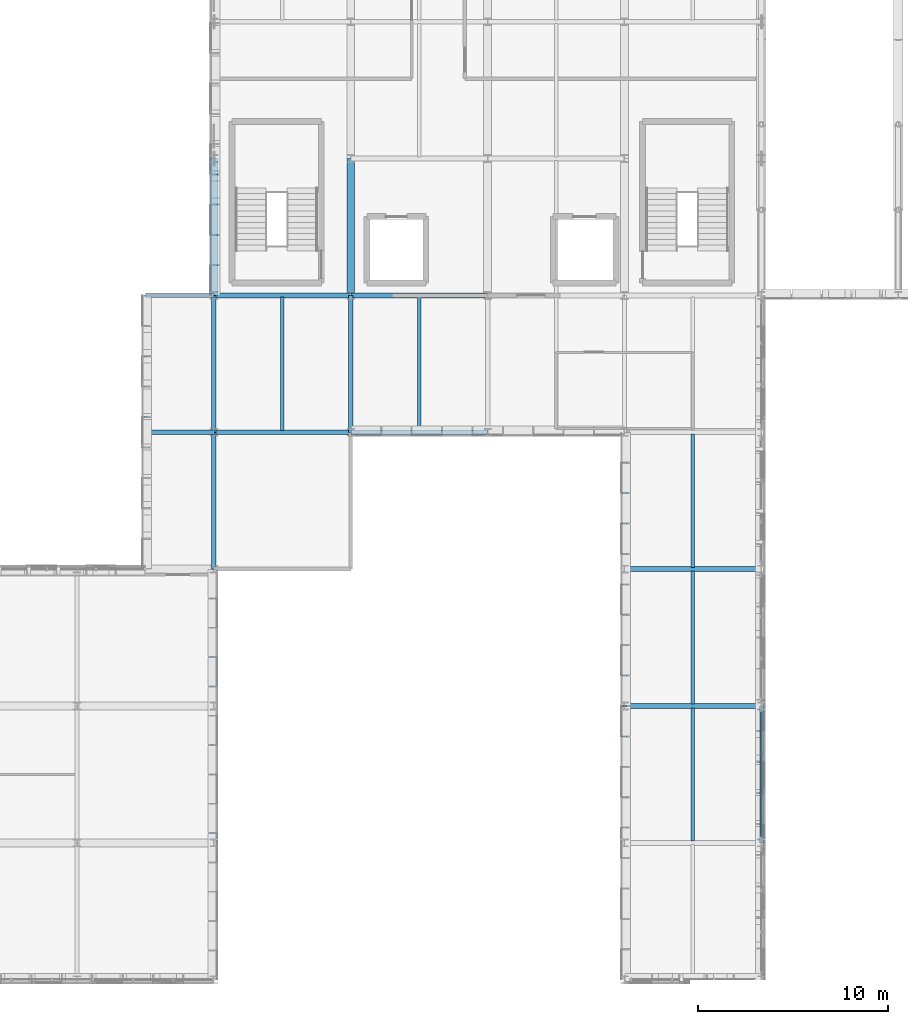
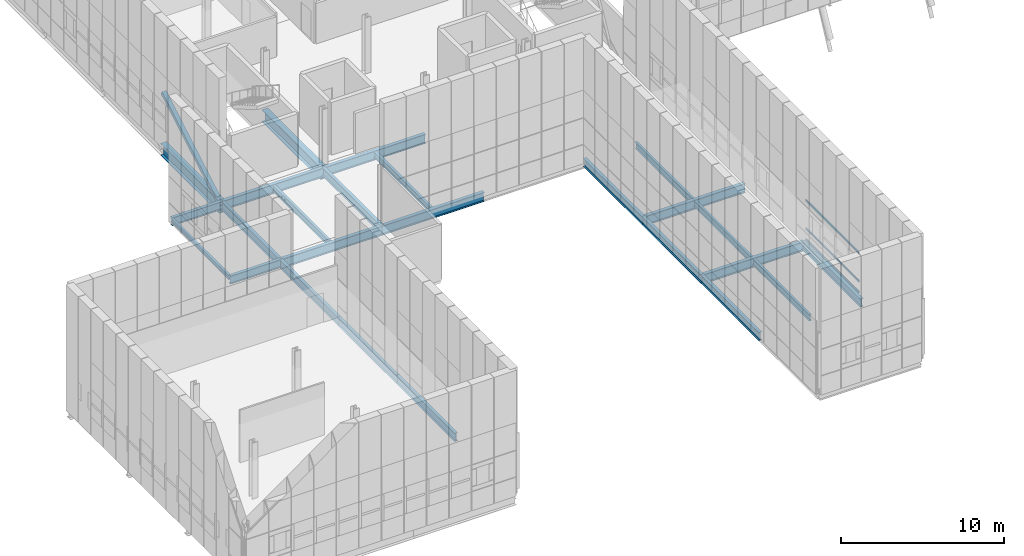
# One storey, part 19 of 144: 25 beams, 4 members, 1 element without a shape of its own.
"""IFC4 building model written with IfcOpenShell, lengths in metres."""

import ifcopenshell
import ifcopenshell.guid

model = None  # the IFC model being written
_history = None  # IfcOwnerHistory: only IFC2X3 demands one
_inside = {}  # id of a spatial element -> (the spatial element, [elements in it])
_under = {}  # id of a project, library or spatial element -> (it, [spatial elements below it])
_declared = {}  # id of a project -> (the project, [libraries it declares])
_typed = {}  # id of a type object -> (the type object, [elements of that type])
_made_of = {}  # id of a material, layer set ... -> (it, [elements and type objects made of it])


def new_model(schema):
    """Start an empty IFC model of exactly this schema.

    Asked for "IFC4X3", IfcOpenShell would pick the latest addendum, in which some entities
    have other attributes; the version numbers below select the first issue.
    IFC2X3 requires an IfcOwnerHistory on every rooted entity: one is made here for all.
    """
    global model, _history
    if schema == "IFC4X3":
        model = ifcopenshell.file(schema_version=(4, 3, 0, 0))
    else:
        model = ifcopenshell.file(schema=schema)
    _inside.clear()
    _under.clear()
    _declared.clear()
    _typed.clear()
    _made_of.clear()
    _history = None
    if model.schema == "IFC2X3":
        org = make("IfcOrganization", Name="unknown")
        user = make(
            "IfcPersonAndOrganization",
            ThePerson=make("IfcPerson", FamilyName="unknown"),
            TheOrganization=org,
        )
        app = make(
            "IfcApplication",
            ApplicationDeveloper=org,
            Version="unknown",
            ApplicationFullName="unknown",
            ApplicationIdentifier="unknown",
        )
        _history = make(
            "IfcOwnerHistory",
            OwningUser=user,
            OwningApplication=app,
            ChangeAction="ADDED",
            CreationDate=0,
        )
    return model


def make(cls, **values):
    """One entity of the class cls with the attributes given. An attribute that is None is left unset."""
    return model.create_entity(
        cls, **{name: value for name, value in values.items() if value is not None}
    )


def rooted(cls, **values):
    """An entity with a GlobalId (a new one), such as an element, a storey or a relation."""
    return make(cls, GlobalId=ifcopenshell.guid.new(), OwnerHistory=_history, **values)


def si_unit(unit_type, name, prefix=None):
    """IfcSIUnit, for example si_unit("LENGTHUNIT", "METRE", prefix="MILLI")."""
    return make("IfcSIUnit", UnitType=unit_type, Prefix=prefix, Name=name)


def assignment(units):
    """IfcUnitAssignment: the units of a project."""
    return None if units is None else make("IfcUnitAssignment", Units=units)


def point(xyz):
    """IfcCartesianPoint."""
    return None if xyz is None else make("IfcCartesianPoint", Coordinates=xyz)


def direction(xyz):
    """IfcDirection."""
    return None if xyz is None else make("IfcDirection", DirectionRatios=xyz)


def frame(location, z_axis=None, x_axis=None):
    """IfcAxis2Placement3D, a coordinate frame: its origin and axes. An axis left out is left unset."""
    return make(
        "IfcAxis2Placement3D",
        Location=point(location),
        Axis=direction(z_axis),
        RefDirection=direction(x_axis),
    )


def frame_2d(location, x_axis=None):
    """IfcAxis2Placement2D, a coordinate frame in the plane: its origin and x axis."""
    return make(
        "IfcAxis2Placement2D", Location=point(location), RefDirection=direction(x_axis)
    )


def origin():
    """The frame at (0, 0, 0) with its axes left unset."""
    return frame((0.0, 0.0, 0.0))


def origin_2d():
    """The frame at (0, 0) in the plane with its x axis left unset."""
    return frame_2d((0.0, 0.0))


def place(relative_to, where):
    """IfcLocalPlacement: puts the frame where relative to a parent placement (None: the world)."""
    return make(
        "IfcLocalPlacement", PlacementRelTo=relative_to, RelativePlacement=where
    )


def context(
    kind, dimensions, precision=None, world=None, true_north=None, identifier=None
):
    """IfcGeometricRepresentationContext, for example the 3D "Model" context."""
    return make(
        "IfcGeometricRepresentationContext",
        ContextIdentifier=identifier,
        ContextType=kind,
        CoordinateSpaceDimension=dimensions,
        Precision=precision,
        WorldCoordinateSystem=world,
        TrueNorth=true_north,
    )


def subcontext(parent, identifier, kind, view, scale=None):
    """IfcGeometricRepresentationSubContext, for example "Body" below "Model"."""
    return make(
        "IfcGeometricRepresentationSubContext",
        ContextIdentifier=identifier,
        ContextType=kind,
        ParentContext=parent,
        TargetScale=scale,
        TargetView=view,
    )


def project(units=None, contexts=None):
    """IfcProject with its units and contexts."""
    return rooted(
        "IfcProject",
        Name="project",
        RepresentationContexts=contexts,
        UnitsInContext=assignment(units),
    )


def spatial(cls, under=None, at=None, **own):
    """A site, building, storey or space (cls), placed at a placement, below another one or the project."""
    s = rooted(cls, ObjectPlacement=at, **own)
    if under is not None:
        _under.setdefault(under.id(), (under, []))[1].append(s)
    return s


def profile(cls, at=None, kind="AREA", **sizes):
    """A parametric profile (cls). Its sizes go by their IFC names, for example OverallWidth=200.0."""
    return make(cls, ProfileType=kind, Position=at, **sizes)


def hollow_rectangle(**sizes):
    """IfcRectangleHollowProfileDef."""
    return profile("IfcRectangleHollowProfileDef", **sizes)


def i_section(**sizes):
    """IfcIShapeProfileDef."""
    return profile("IfcIShapeProfileDef", **sizes)


def extrude(swept, where, along, depth):
    """IfcExtrudedAreaSolid: the profile swept, set in the frame where, extruded along a direction by depth."""
    return make(
        "IfcExtrudedAreaSolid",
        SweptArea=swept,
        Position=where,
        ExtrudedDirection=direction(along),
        Depth=depth,
    )


def shape(context_of_items, identifier, shape_type, items):
    """IfcShapeRepresentation: the items that make up one representation, for example the "Body"."""
    return make(
        "IfcShapeRepresentation",
        ContextOfItems=context_of_items,
        RepresentationIdentifier=identifier,
        RepresentationType=shape_type,
        Items=items,
    )


def material(Name=None, Category=None):
    """IfcMaterial."""
    return make("IfcMaterial", Name=Name, Category=Category)


def material_profile(
    of_material, cross_section, Name=None, Category=None, Priority=None
):
    """IfcMaterialProfile: a cross section and its material."""
    return make(
        "IfcMaterialProfile",
        Name=Name,
        Material=of_material,
        Profile=cross_section,
        Priority=Priority,
        Category=Category,
    )


def profile_set(profiles, Name=None, composite=None):
    """IfcMaterialProfileSet."""
    return make(
        "IfcMaterialProfileSet",
        Name=Name,
        MaterialProfiles=profiles,
        CompositeProfile=composite,
    )


def made_of(thing, what):
    """Note that an element or type object is made of a material, layer set ...; save() writes the relation."""
    if what is not None:
        _made_of.setdefault(what.id(), (what, []))[1].append(thing)
    return thing


def type_object(cls, material=None, **own):
    """A type object (cls), such as IfcWallType, which elements share."""
    return made_of(rooted(cls, **own), material)


def element(
    cls,
    number,
    at=None,
    inside=None,
    cuts=None,
    type_object=None,
    material=None,
    context=None,
    identifier="Body",
    shape_type=None,
    held_by="IfcProductDefinitionShape",
    body=None,
    shapes=None,
    **own,
):
    """One element of the class cls, such as IfcWall. Its Tag is "e" and its number.

    at: its placement. inside: the storey or other place that contains it. cuts: it is an
    opening in that element (IfcRelVoidsElement). A single representation is given by context,
    identifier, shape_type and body (its items); several are given by shapes. held_by: the class
    of the entity that holds the representations. save() writes the other relations.
    """
    e = rooted(cls, Tag="e%d" % number, ObjectPlacement=at, **own)
    if body is not None:
        shapes = [shape(context, identifier, shape_type, body)]
    if shapes is not None:
        e.Representation = make(held_by, Representations=shapes)
    if inside is not None:
        _inside.setdefault(inside.id(), (inside, []))[1].append(e)
    if cuts is not None:
        rooted(
            "IfcRelVoidsElement", RelatingBuildingElement=cuts, RelatedOpeningElement=e
        )
    if type_object is not None:
        _typed.setdefault(type_object.id(), (type_object, []))[1].append(e)
    return made_of(e, material)


def aggregate(whole, parts):
    """IfcRelAggregates: a whole, such as a stair, and the parts it consists of."""
    return rooted("IfcRelAggregates", RelatingObject=whole, RelatedObjects=parts)


def save(model, path):
    """Write the relations noted so far, then the file.

    IfcRelAggregates (storeys below a building ...), IfcRelContainedInSpatialStructure (elements
    in a storey), IfcRelDefinesByType, IfcRelAssociatesMaterial and IfcRelDeclares: one each for
    every whole, place, type object, material and project.
    """
    for whole, parts in _under.values():
        aggregate(whole, parts)
    for where, things in _inside.values():
        rooted(
            "IfcRelContainedInSpatialStructure",
            RelatedElements=things,
            RelatingStructure=where,
        )
    for kind, things in _typed.values():
        rooted("IfcRelDefinesByType", RelatedObjects=things, RelatingType=kind)
    for what, things in _made_of.values():
        rooted("IfcRelAssociatesMaterial", RelatedObjects=things, RelatingMaterial=what)
    for by, libraries in _declared.values():
        rooted("IfcRelDeclares", RelatingContext=by, RelatedDefinitions=libraries)
    model.write(path)


model = new_model("IFC4")

# Units and contexts
model_context = context("Model", 3, precision=1e-05, world=origin(), true_north=direction((0.0, 1.0)))
body_context = subcontext(model_context, "Body", "Model", "MODEL_VIEW")
ifc_project = project(units=[si_unit("LENGTHUNIT", "METRE"), si_unit("AREAUNIT", "SQUARE_METRE"), si_unit("VOLUMEUNIT", "CUBIC_METRE"), si_unit("PLANEANGLEUNIT", "RADIAN"), si_unit("MASSUNIT", "GRAM", prefix="KILO")], contexts=[model_context])

# Site, building, storey
site_placement = place(None, origin())
site = spatial("IfcSite", under=ifc_project, at=site_placement, CompositionType="ELEMENT")
building_placement = place(site_placement, origin())
building = spatial("IfcBuilding", under=site, at=building_placement, Name="Yarey Park Central Fire Station", CompositionType="ELEMENT")
storey_placement = place(building_placement, frame((0.0, 0.0, 10.199951171875)))
storey = spatial("IfcBuildingStorey", under=building, at=storey_placement, Name="L03", CompositionType="ELEMENT", Elevation=10.199951171875)

# Curtain wall, members
ifc_material_1 = material(Name="Anodized Aluminium Frame", Category="aluminium")
curtain_wall_type = type_object("IfcCurtainWallType", Name="ENV_CW_V3_OVR1", PredefinedType="NOTDEFINED", material=ifc_material_1)
curtain_wall_placement = place(storey_placement, origin())
curtain_wall = element("IfcCurtainWall", 1, at=curtain_wall_placement, inside=storey, type_object=curtain_wall_type, Name="CW_L03_V1_E_057", PredefinedType="NOTDEFINED")
ifc_material_profile_1 = material_profile(ifc_material_1, hollow_rectangle(XDim=0.070068359375, YDim=0.139892578125, WallThickness=0.00390625, at=origin_2d()), Name="ALU 140x70x4")
ifc_profile_set_1 = profile_set([ifc_material_profile_1], Name="Anodized Aluminium Frame")
member_type_1 = type_object("IfcMemberType", Name="ENV_CW_TRANSOM", PredefinedType="USERDEFINED", material=ifc_profile_set_1)
member_1_placement = place(storey_placement, frame((57.60009765625, 29.125, 0.025146484375), z_axis=(0.0, 1.0, 0.0), x_axis=(-1.0, 0.0, 0.0)))
member_1 = element("IfcMember", 2, at=member_1_placement, type_object=member_type_1, Name="CW_L03_V1_E_057_TRN1", ObjectType="TRANSOM", PredefinedType="USERDEFINED", context=body_context, shape_type="SweptSolid", body=[
    extrude(hollow_rectangle(XDim=0.070068359375, YDim=0.139892578125, WallThickness=0.00390625, at=origin_2d()), origin(), (0.0, 0.0, 1.0), 6.550048828125),
])
member_2_placement = place(storey_placement, frame((57.60009765625, 29.125, 0.85009765625), z_axis=(0.0, 1.0, 0.0), x_axis=(-1.0, 0.0, 0.0)))
member_2 = element("IfcMember", 3, at=member_2_placement, type_object=member_type_1, Name="CW_L03_V1_E_057_TRN2", ObjectType="TRANSOM", PredefinedType="USERDEFINED", context=body_context, shape_type="SweptSolid", body=[
    extrude(hollow_rectangle(XDim=0.070068359375, YDim=0.139892578125, WallThickness=0.00390625, at=origin_2d()), origin(), (0.0, 0.0, 1.0), 6.550048828125),
])
member_3_placement = place(storey_placement, frame((57.60009765625, 29.125, 2.97509765625), z_axis=(0.0, 1.0, 0.0), x_axis=(-1.0, 0.0, 0.0)))
member_3 = element("IfcMember", 4, at=member_3_placement, type_object=member_type_1, Name="CW_L03_V1_E_057_TRN3", ObjectType="TRANSOM", PredefinedType="USERDEFINED", context=body_context, shape_type="SweptSolid", body=[
    extrude(hollow_rectangle(XDim=0.070068359375, YDim=0.139892578125, WallThickness=0.00390625, at=origin_2d()), origin(), (0.0, 0.0, 1.0), 6.550048828125),
])
aggregate(curtain_wall, [member_1, member_2, member_3])

# Beams
ifc_material_2 = material(Name="Steel ASTM A992 Gr. 50", Category="steel")
ifc_material_profile_2 = material_profile(ifc_material_2, i_section(OverallWidth=0.22900390625, OverallDepth=0.612060546875, WebThickness=0.011962890625, FlangeThickness=0.01953125, at=origin_2d()), Name="W610x125")
ifc_profile_set_2 = profile_set([ifc_material_profile_2], Name="Steel ASTM A992 Gr. 50")
beam_type_1 = type_object("IfcBeamType", Name="STR_BM_W610", PredefinedType="BEAM", material=ifc_profile_set_2)
for number, where, z_axis, x_axis, name in (
    (5, (28.800048828125, 28.800048828125, -0.56591796875), (0.0, 1.0, 0.0), (-1.0, 0.0, 0.0), "BMY L03 X288 Y288"),
    (6, (28.800048828125, 36.0, -0.56591796875), (0.0, 1.0, 0.0), (-1.0, 0.0, 0.0), "BMY L03 X288 Y360"),
    (7, (28.800048828125, 43.199951171875, -0.56591796875), (0.0, 1.0, 0.0), (-1.0, 0.0, 0.0), "BMY L03 X288 Y432"),
):
    element("IfcBeam", number, at=place(storey_placement, frame(where, z_axis=z_axis, x_axis=x_axis)), inside=storey, type_object=beam_type_1, Name=name, PredefinedType="BEAM", context=body_context, shape_type="SweptSolid", body=[
        extrude(i_section(OverallWidth=0.22900390625, OverallDepth=0.612060546875, WebThickness=0.011962890625, FlangeThickness=0.01953125, at=origin_2d()), origin(), (0.0, 0.0, 1.0), 7.199951171875),
    ])
for number, where, z_axis, x_axis, name in (
    (8, (28.800048828125, 50.39990234375, -0.56591796875), (0.0, 1.0, 0.0), (-1.0, 0.0, 0.0), "BMY L03 X288 Y504"),
    (9, (36.0, 50.39990234375, -0.56591796875), (0.0, 1.0, 0.0), (-1.0, 0.0, 0.0), "BMY L03 X360 Y504"),
):
    element("IfcBeam", number, at=place(storey_placement, frame(where, z_axis=z_axis, x_axis=x_axis)), inside=storey, type_object=beam_type_1, Name=name, PredefinedType="BEAM", context=body_context, shape_type="SweptSolid", body=[
        extrude(i_section(OverallWidth=0.22900390625, OverallDepth=0.612060546875, WebThickness=0.011962890625, FlangeThickness=0.01953125, at=origin_2d()), origin(), (0.0, 0.0, 1.0), 7.2001953125),
    ])
for number, where, z_axis, x_axis, name in (
    (10, (50.39990234375, 28.800048828125, -0.56591796875), (0.0, 1.0, 0.0), (-1.0, 0.0, 0.0), "BMY L03 X504 Y288"),
    (11, (50.39990234375, 36.0, -0.56591796875), (0.0, 1.0, 0.0), (-1.0, 0.0, 0.0), "BMY L03 X504 Y360"),
    (12, (50.39990234375, 43.199951171875, -0.56591796875), (0.0, 1.0, 0.0), (-1.0, 0.0, 0.0), "BMY L03 X504 Y432"),
    (13, (57.60009765625, 28.800048828125, -0.56591796875), (0.0, 1.0, 0.0), (-1.0, 0.0, 0.0), "BMY L03 X576 Y288"),
):
    element("IfcBeam", number, at=place(storey_placement, frame(where, z_axis=z_axis, x_axis=x_axis)), inside=storey, type_object=beam_type_1, Name=name, PredefinedType="BEAM", context=body_context, shape_type="SweptSolid", body=[
        extrude(i_section(OverallWidth=0.22900390625, OverallDepth=0.612060546875, WebThickness=0.011962890625, FlangeThickness=0.01953125, at=origin_2d()), origin(), (0.0, 0.0, 1.0), 7.199951171875),
    ])
ifc_material_profile_3 = material_profile(ifc_material_2, i_section(OverallWidth=0.22900390625, OverallDepth=0.612060546875, WebThickness=0.011962890625, FlangeThickness=0.01953125, at=origin_2d()), Name="W610x125")
ifc_profile_set_3 = profile_set([ifc_material_profile_3], Name="Steel ASTM A992 Gr. 50")
beam_type_2 = type_object("IfcBeamType", Name="STR_BM_W610E", PredefinedType="BEAM", material=ifc_profile_set_3)
for number, where, z_axis, x_axis, name in (
    (14, (25.199951171875, 50.39990234375, -0.56591796875), (1.0, 0.0, 0.0), (0.0, 1.0, 0.0), "WCANT OUT L03 Y504"),
    (15, (25.199951171875, 57.60009765625, -0.56591796875), (1.0, 0.0, 0.0), (0.0, 1.0, 0.0), "WCANT OUT L03 Y576"),
):
    element("IfcBeam", number, at=place(storey_placement, frame(where, z_axis=z_axis, x_axis=x_axis)), inside=storey, type_object=beam_type_2, Name=name, PredefinedType="BEAM", context=body_context, shape_type="SweptSolid", body=[
        extrude(i_section(OverallWidth=0.22900390625, OverallDepth=0.612060546875, WebThickness=0.011962890625, FlangeThickness=0.01953125, at=origin_2d()), origin(), (0.0, 0.0, 1.0), 3.60009765625),
    ])
ifc_material_profile_4 = material_profile(ifc_material_2, i_section(OverallWidth=0.256103515625, OverallDepth=0.693115234375, WebThickness=0.014404296875, FlangeThickness=0.023681640625, at=origin_2d()), Name="W690x170")
ifc_profile_set_4 = profile_set([ifc_material_profile_4], Name="Steel ASTM A992 Gr. 50")
beam_type_3 = type_object("IfcBeamType", Name="STR_BM_W690", PredefinedType="BEAM", material=ifc_profile_set_4)
for number, where, z_axis, x_axis, name in (
    (16, (50.39990234375, 36.0, -0.6064453125), (1.0, 0.0, 0.0), (0.0, 1.0, 0.0), "BMX L03 Y360 X504"),
    (17, (50.39990234375, 43.199951171875, -0.6064453125), (1.0, 0.0, 0.0), (0.0, 1.0, 0.0), "BMX L03 Y432 X504"),
):
    element("IfcBeam", number, at=place(storey_placement, frame(where, z_axis=z_axis, x_axis=x_axis)), inside=storey, type_object=beam_type_3, Name=name, PredefinedType="BEAM", context=body_context, shape_type="SweptSolid", body=[
        extrude(i_section(OverallWidth=0.256103515625, OverallDepth=0.693115234375, WebThickness=0.014404296875, FlangeThickness=0.023681640625, at=origin_2d()), origin(), (0.0, 0.0, 1.0), 7.2001953125),
    ])
for number, where, z_axis, x_axis, name in (
    (18, (28.800048828125, 50.39990234375, -0.6064453125), (1.0, 0.0, 0.0), (0.0, 1.0, 0.0), "BMX L03 Y504 X288"),
    (19, (36.0, 50.39990234375, -0.6064453125), (1.0, 0.0, 0.0), (0.0, 1.0, 0.0), "BMX L03 Y504 X360"),
    (20, (28.800048828125, 57.60009765625, -0.6064453125), (1.0, 0.0, 0.0), (0.0, 1.0, 0.0), "BMX L03 Y576 X288"),
    (21, (36.0, 57.60009765625, -0.6064453125), (1.0, 0.0, 0.0), (0.0, 1.0, 0.0), "BMX L03 Y576 X360"),
):
    element("IfcBeam", number, at=place(storey_placement, frame(where, z_axis=z_axis, x_axis=x_axis)), inside=storey, type_object=beam_type_3, Name=name, PredefinedType="BEAM", context=body_context, shape_type="SweptSolid", body=[
        extrude(i_section(OverallWidth=0.256103515625, OverallDepth=0.693115234375, WebThickness=0.014404296875, FlangeThickness=0.023681640625, at=origin_2d()), origin(), (0.0, 0.0, 1.0), 7.199951171875),
    ])
ifc_material_profile_5 = material_profile(ifc_material_2, i_section(OverallWidth=0.41796875, OverallDepth=0.912109375, WebThickness=0.019287109375, FlangeThickness=0.031982421875, at=origin_2d()), Name="W920x342")
ifc_profile_set_5 = profile_set([ifc_material_profile_5], Name="Steel ASTM A992 Gr. 50")
beam_type_4 = type_object("IfcBeamType", Name="STR_BM_W920", PredefinedType="BEAM", material=ifc_profile_set_5)
beam_1_placement = place(storey_placement, frame((36.0, 57.60009765625, -0.716064453125), z_axis=(0.0, 1.0, 0.0), x_axis=(-1.0, 0.0, 0.0)))
element("IfcBeam", 22, at=beam_1_placement, inside=storey, type_object=beam_type_4, Name="Transfer Truss TT2 L03 CH1", PredefinedType="BEAM", context=body_context, shape_type="SweptSolid", body=[
    extrude(i_section(OverallWidth=0.41796875, OverallDepth=0.912109375, WebThickness=0.019287109375, FlangeThickness=0.031982421875, at=origin_2d()), origin(), (0.0, 0.0, 1.0), 7.199951171875),
])
ifc_material_profile_6 = material_profile(ifc_material_2, i_section(OverallWidth=0.41796875, OverallDepth=0.912109375, WebThickness=0.019287109375, FlangeThickness=0.031982421875, at=origin_2d()), Name="W920x342")
ifc_profile_set_6 = profile_set([ifc_material_profile_6], Name="Steel ASTM A992 Gr. 50")
beam_type_5 = type_object("IfcBeamType", Name="STR_BM_W920E", PredefinedType="BEAM", material=ifc_profile_set_6)
beam_2_placement = place(storey_placement, frame((28.800048828125, 57.60009765625, -0.716064453125), z_axis=(0.0, 1.0, 0.0), x_axis=(-1.0, 0.0, 0.0)))
element("IfcBeam", 23, at=beam_2_placement, inside=storey, type_object=beam_type_5, Name="Transfer Truss TT1 L03 CH1", PredefinedType="BEAM", context=body_context, shape_type="SweptSolid", body=[
    extrude(i_section(OverallWidth=0.41796875, OverallDepth=0.912109375, WebThickness=0.019287109375, FlangeThickness=0.031982421875, at=origin_2d()), origin(), (0.0, 0.0, 1.0), 7.199951171875),
])
ifc_material_profile_7 = material_profile(ifc_material_2, i_section(OverallWidth=0.18994140625, OverallDepth=0.45703125, WebThickness=0.009033203125, FlangeThickness=0.014404296875, at=origin_2d()), Name="W460x74")
ifc_profile_set_7 = profile_set([ifc_material_profile_7], Name="Steel ASTM A992 Gr. 50")
beam_type_6 = type_object("IfcBeamType", Name="STR_JST_W460", PredefinedType="JOIST", material=ifc_profile_set_7)
for number, where, z_axis, x_axis, name in (
    (24, (32.39990234375, 50.4951171875, -0.488525390625), (0.0, 1.0, 0.0), (-1.0, 0.0, 0.0), "JST L03 X324 Y504"),
    (25, (39.60009765625, 50.4951171875, -0.488525390625), (0.0, 1.0, 0.0), (-1.0, 0.0, 0.0), "JST L03 X396 Y504"),
):
    element("IfcBeam", number, at=place(storey_placement, frame(where, z_axis=z_axis, x_axis=x_axis)), inside=storey, type_object=beam_type_6, Name=name, PredefinedType="JOIST", context=body_context, shape_type="SweptSolid", body=[
        extrude(i_section(OverallWidth=0.18994140625, OverallDepth=0.45703125, WebThickness=0.009033203125, FlangeThickness=0.014404296875, at=origin_2d()), origin(), (0.0, 0.0, 1.0), 7.009765625),
    ])
for number, where, z_axis, x_axis, name in (
    (26, (54.0, 28.89501953125, -0.488525390625), (0.0, 1.0, 0.0), (-1.0, 0.0, 0.0), "JST L03 X540 Y288"),
    (27, (54.0, 36.094970703125, -0.488525390625), (0.0, 1.0, 0.0), (-1.0, 0.0, 0.0), "JST L03 X540 Y360"),
    (28, (54.0, 43.294921875, -0.488525390625), (0.0, 1.0, 0.0), (-1.0, 0.0, 0.0), "JST L03 X540 Y432"),
):
    element("IfcBeam", number, at=place(storey_placement, frame(where, z_axis=z_axis, x_axis=x_axis)), inside=storey, type_object=beam_type_6, Name=name, PredefinedType="JOIST", context=body_context, shape_type="SweptSolid", body=[
        extrude(i_section(OverallWidth=0.18994140625, OverallDepth=0.45703125, WebThickness=0.009033203125, FlangeThickness=0.014404296875, at=origin_2d()), origin(), (0.0, 0.0, 1.0), 7.010009765625),
    ])

# Member
ifc_material_3 = material(Name="Steel ASTM A500 Gr. C", Category="steel")
ifc_material_profile_8 = material_profile(ifc_material_3, hollow_rectangle(XDim=0.300048828125, YDim=0.300048828125, WallThickness=0.01611328125, at=origin_2d()), Name="HSS 300x300x16")
ifc_profile_set_8 = profile_set([ifc_material_profile_8], Name="Steel ASTM A500 Gr. C")
member_type_2 = type_object("IfcMemberType", Name="STR_PRATT_HSS300E", PredefinedType="BRACE", material=ifc_profile_set_8)
member_4_placement = place(storey_placement, frame((28.800048828125, 57.60009765625, -0.699951171875), z_axis=(0.0, 0.863779963214, 0.503869204407), x_axis=(-1.0, 0.0, 0.0)))
element("IfcMember", 29, at=member_4_placement, inside=storey, type_object=member_type_2, Name="TT1_L03_DIAG1", PredefinedType="BRACE", context=body_context, shape_type="SweptSolid", body=[
    extrude(hollow_rectangle(XDim=0.300048828125, YDim=0.300048828125, WallThickness=0.01611328125, at=origin_2d()), origin(), (0.0, 0.0, 1.0), 8.33544921875),
])

# Beam
ifc_material_profile_9 = material_profile(ifc_material_2, i_section(OverallWidth=0.1650390625, OverallDepth=0.31005859375, WebThickness=0.005859375, FlangeThickness=0.009765625, at=origin_2d()), Name="W310x39")
ifc_profile_set_9 = profile_set([ifc_material_profile_9], Name="Steel ASTM A992 Gr. 50")
beam_type_7 = type_object("IfcBeamType", Name="STR_SPN_W310", PredefinedType="SPANDREL", material=ifc_profile_set_9)
beam_3_placement = place(storey_placement, frame((25.199951171875, 50.39990234375, -0.4150390625), z_axis=(0.0, 1.0, 0.0), x_axis=(-1.0, 0.0, 0.0)))
element("IfcBeam", 30, at=beam_3_placement, inside=storey, type_object=beam_type_7, Name="WCANT EDG L03 Y504", PredefinedType="SPANDREL", context=body_context, shape_type="SweptSolid", body=[
    extrude(i_section(OverallWidth=0.1650390625, OverallDepth=0.31005859375, WebThickness=0.005859375, FlangeThickness=0.009765625, at=origin_2d()), origin(), (0.0, 0.0, 1.0), 7.2001953125),
])

save(model, "model.ifc")
